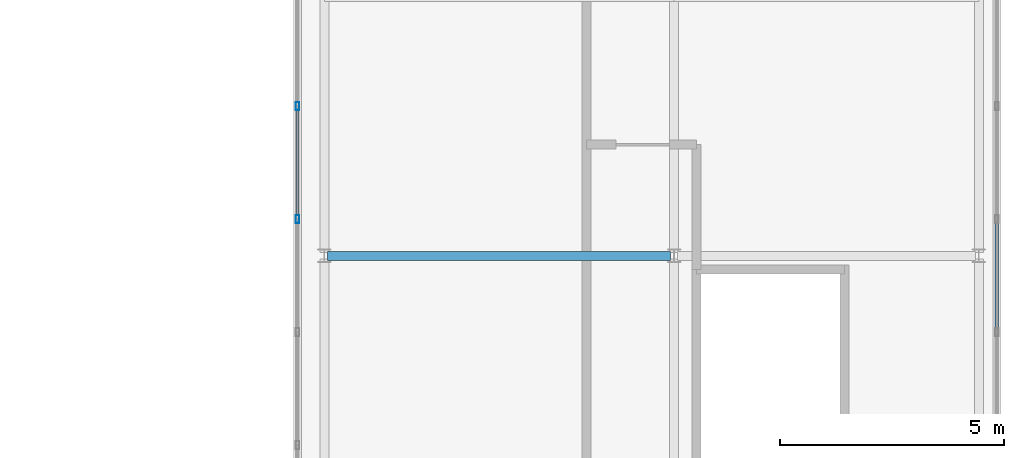
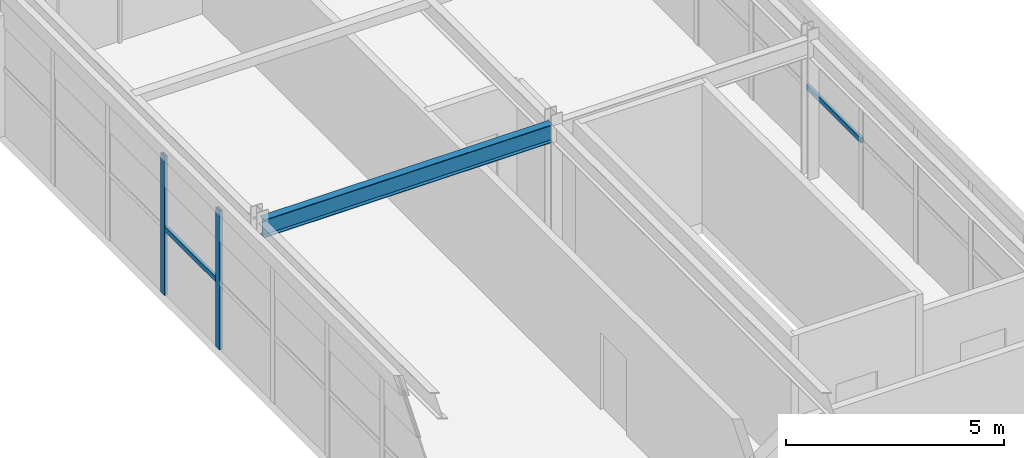
# One storey, part 15 of 25: 4 members, 1 beam, 2 elements without a shape of their own.
"""IFC4 building model written with IfcOpenShell, lengths in metres."""

import ifcopenshell
import ifcopenshell.guid

model = None  # the IFC model being written
_history = None  # IfcOwnerHistory: only IFC2X3 demands one
_inside = {}  # id of a spatial element -> (the spatial element, [elements in it])
_under = {}  # id of a project, library or spatial element -> (it, [spatial elements below it])
_declared = {}  # id of a project -> (the project, [libraries it declares])
_typed = {}  # id of a type object -> (the type object, [elements of that type])
_made_of = {}  # id of a material, layer set ... -> (it, [elements and type objects made of it])


def new_model(schema):
    """Start an empty IFC model of exactly this schema.

    Asked for "IFC4X3", IfcOpenShell would pick the latest addendum, in which some entities
    have other attributes; the version numbers below select the first issue.
    IFC2X3 requires an IfcOwnerHistory on every rooted entity: one is made here for all.
    """
    global model, _history
    if schema == "IFC4X3":
        model = ifcopenshell.file(schema_version=(4, 3, 0, 0))
    else:
        model = ifcopenshell.file(schema=schema)
    _inside.clear()
    _under.clear()
    _declared.clear()
    _typed.clear()
    _made_of.clear()
    _history = None
    if model.schema == "IFC2X3":
        org = make("IfcOrganization", Name="unknown")
        user = make(
            "IfcPersonAndOrganization",
            ThePerson=make("IfcPerson", FamilyName="unknown"),
            TheOrganization=org,
        )
        app = make(
            "IfcApplication",
            ApplicationDeveloper=org,
            Version="unknown",
            ApplicationFullName="unknown",
            ApplicationIdentifier="unknown",
        )
        _history = make(
            "IfcOwnerHistory",
            OwningUser=user,
            OwningApplication=app,
            ChangeAction="ADDED",
            CreationDate=0,
        )
    return model


def make(cls, **values):
    """One entity of the class cls with the attributes given. An attribute that is None is left unset."""
    return model.create_entity(
        cls, **{name: value for name, value in values.items() if value is not None}
    )


def rooted(cls, **values):
    """An entity with a GlobalId (a new one), such as an element, a storey or a relation."""
    return make(cls, GlobalId=ifcopenshell.guid.new(), OwnerHistory=_history, **values)


def si_unit(unit_type, name, prefix=None):
    """IfcSIUnit, for example si_unit("LENGTHUNIT", "METRE", prefix="MILLI")."""
    return make("IfcSIUnit", UnitType=unit_type, Prefix=prefix, Name=name)


def assignment(units):
    """IfcUnitAssignment: the units of a project."""
    return None if units is None else make("IfcUnitAssignment", Units=units)


def point(xyz):
    """IfcCartesianPoint."""
    return None if xyz is None else make("IfcCartesianPoint", Coordinates=xyz)


def direction(xyz):
    """IfcDirection."""
    return None if xyz is None else make("IfcDirection", DirectionRatios=xyz)


def frame(location, z_axis=None, x_axis=None):
    """IfcAxis2Placement3D, a coordinate frame: its origin and axes. An axis left out is left unset."""
    return make(
        "IfcAxis2Placement3D",
        Location=point(location),
        Axis=direction(z_axis),
        RefDirection=direction(x_axis),
    )


def frame_2d(location, x_axis=None):
    """IfcAxis2Placement2D, a coordinate frame in the plane: its origin and x axis."""
    return make(
        "IfcAxis2Placement2D", Location=point(location), RefDirection=direction(x_axis)
    )


def origin():
    """The frame at (0, 0, 0) with its axes left unset."""
    return frame((0.0, 0.0, 0.0))


def origin_2d():
    """The frame at (0, 0) in the plane with its x axis left unset."""
    return frame_2d((0.0, 0.0))


def place(relative_to, where):
    """IfcLocalPlacement: puts the frame where relative to a parent placement (None: the world)."""
    return make(
        "IfcLocalPlacement", PlacementRelTo=relative_to, RelativePlacement=where
    )


def context(
    kind, dimensions, precision=None, world=None, true_north=None, identifier=None
):
    """IfcGeometricRepresentationContext, for example the 3D "Model" context."""
    return make(
        "IfcGeometricRepresentationContext",
        ContextIdentifier=identifier,
        ContextType=kind,
        CoordinateSpaceDimension=dimensions,
        Precision=precision,
        WorldCoordinateSystem=world,
        TrueNorth=true_north,
    )


def subcontext(parent, identifier, kind, view, scale=None):
    """IfcGeometricRepresentationSubContext, for example "Body" below "Model"."""
    return make(
        "IfcGeometricRepresentationSubContext",
        ContextIdentifier=identifier,
        ContextType=kind,
        ParentContext=parent,
        TargetScale=scale,
        TargetView=view,
    )


def project(units=None, contexts=None):
    """IfcProject with its units and contexts."""
    return rooted(
        "IfcProject",
        Name="project",
        RepresentationContexts=contexts,
        UnitsInContext=assignment(units),
    )


def spatial(cls, under=None, at=None, **own):
    """A site, building, storey or space (cls), placed at a placement, below another one or the project."""
    s = rooted(cls, ObjectPlacement=at, **own)
    if under is not None:
        _under.setdefault(under.id(), (under, []))[1].append(s)
    return s


def profile(cls, at=None, kind="AREA", **sizes):
    """A parametric profile (cls). Its sizes go by their IFC names, for example OverallWidth=200.0."""
    return make(cls, ProfileType=kind, Position=at, **sizes)


def hollow_rectangle(**sizes):
    """IfcRectangleHollowProfileDef."""
    return profile("IfcRectangleHollowProfileDef", **sizes)


def i_section(**sizes):
    """IfcIShapeProfileDef."""
    return profile("IfcIShapeProfileDef", **sizes)


def extrude(swept, where, along, depth):
    """IfcExtrudedAreaSolid: the profile swept, set in the frame where, extruded along a direction by depth."""
    return make(
        "IfcExtrudedAreaSolid",
        SweptArea=swept,
        Position=where,
        ExtrudedDirection=direction(along),
        Depth=depth,
    )


def shape(context_of_items, identifier, shape_type, items):
    """IfcShapeRepresentation: the items that make up one representation, for example the "Body"."""
    return make(
        "IfcShapeRepresentation",
        ContextOfItems=context_of_items,
        RepresentationIdentifier=identifier,
        RepresentationType=shape_type,
        Items=items,
    )


def source(mapping_origin, context_of_items, identifier, shape_type, items):
    """IfcRepresentationMap: a shape defined once, which mapped items show again and again."""
    return make(
        "IfcRepresentationMap",
        MappingOrigin=mapping_origin,
        MappedRepresentation=shape(context_of_items, identifier, shape_type, items),
    )


def transform(
    local_origin,
    x_axis=None,
    y_axis=None,
    z_axis=None,
    scale=None,
    scale2=None,
    scale3=None,
    uniform=True,
):
    """IfcCartesianTransformationOperator3D, or its non-uniform kind. x_axis, y_axis, z_axis: its Axis1, 2, 3."""
    if uniform:
        return make(
            "IfcCartesianTransformationOperator3D",
            Axis1=direction(x_axis),
            Axis2=direction(y_axis),
            LocalOrigin=point(local_origin),
            Scale=scale,
            Axis3=direction(z_axis),
        )
    return make(
        "IfcCartesianTransformationOperator3DnonUniform",
        Axis1=direction(x_axis),
        Axis2=direction(y_axis),
        LocalOrigin=point(local_origin),
        Scale=scale,
        Axis3=direction(z_axis),
        Scale2=scale2,
        Scale3=scale3,
    )


def mapped(mapping_source, mapping_target):
    """IfcMappedItem: shows the shape of a source again, moved by a transform."""
    return make(
        "IfcMappedItem", MappingSource=mapping_source, MappingTarget=mapping_target
    )


def material(Name=None, Category=None):
    """IfcMaterial."""
    return make("IfcMaterial", Name=Name, Category=Category)


def material_profile(
    of_material, cross_section, Name=None, Category=None, Priority=None
):
    """IfcMaterialProfile: a cross section and its material."""
    return make(
        "IfcMaterialProfile",
        Name=Name,
        Material=of_material,
        Profile=cross_section,
        Priority=Priority,
        Category=Category,
    )


def profile_set(profiles, Name=None, composite=None):
    """IfcMaterialProfileSet."""
    return make(
        "IfcMaterialProfileSet",
        Name=Name,
        MaterialProfiles=profiles,
        CompositeProfile=composite,
    )


def made_of(thing, what):
    """Note that an element or type object is made of a material, layer set ...; save() writes the relation."""
    if what is not None:
        _made_of.setdefault(what.id(), (what, []))[1].append(thing)
    return thing


def type_object(cls, material=None, **own):
    """A type object (cls), such as IfcWallType, which elements share."""
    return made_of(rooted(cls, **own), material)


def element(
    cls,
    number,
    at=None,
    inside=None,
    cuts=None,
    type_object=None,
    material=None,
    context=None,
    identifier="Body",
    shape_type=None,
    held_by="IfcProductDefinitionShape",
    body=None,
    shapes=None,
    **own,
):
    """One element of the class cls, such as IfcWall. Its Tag is "e" and its number.

    at: its placement. inside: the storey or other place that contains it. cuts: it is an
    opening in that element (IfcRelVoidsElement). A single representation is given by context,
    identifier, shape_type and body (its items); several are given by shapes. held_by: the class
    of the entity that holds the representations. save() writes the other relations.
    """
    e = rooted(cls, Tag="e%d" % number, ObjectPlacement=at, **own)
    if body is not None:
        shapes = [shape(context, identifier, shape_type, body)]
    if shapes is not None:
        e.Representation = make(held_by, Representations=shapes)
    if inside is not None:
        _inside.setdefault(inside.id(), (inside, []))[1].append(e)
    if cuts is not None:
        rooted(
            "IfcRelVoidsElement", RelatingBuildingElement=cuts, RelatedOpeningElement=e
        )
    if type_object is not None:
        _typed.setdefault(type_object.id(), (type_object, []))[1].append(e)
    return made_of(e, material)


def aggregate(whole, parts):
    """IfcRelAggregates: a whole, such as a stair, and the parts it consists of."""
    return rooted("IfcRelAggregates", RelatingObject=whole, RelatedObjects=parts)


def save(model, path):
    """Write the relations noted so far, then the file.

    IfcRelAggregates (storeys below a building ...), IfcRelContainedInSpatialStructure (elements
    in a storey), IfcRelDefinesByType, IfcRelAssociatesMaterial and IfcRelDeclares: one each for
    every whole, place, type object, material and project.
    """
    for whole, parts in _under.values():
        aggregate(whole, parts)
    for where, things in _inside.values():
        rooted(
            "IfcRelContainedInSpatialStructure",
            RelatedElements=things,
            RelatingStructure=where,
        )
    for kind, things in _typed.values():
        rooted("IfcRelDefinesByType", RelatedObjects=things, RelatingType=kind)
    for what, things in _made_of.values():
        rooted("IfcRelAssociatesMaterial", RelatedObjects=things, RelatingMaterial=what)
    for by, libraries in _declared.values():
        rooted("IfcRelDeclares", RelatingContext=by, RelatedDefinitions=libraries)
    model.write(path)


model = new_model("IFC4")

# Units and contexts
model_context = context("Model", 3, precision=1e-05, world=origin(), true_north=direction((0.0, 1.0)))
body_context = subcontext(model_context, "Body", "Model", "MODEL_VIEW")
ifc_project = project(units=[si_unit("LENGTHUNIT", "METRE"), si_unit("AREAUNIT", "SQUARE_METRE"), si_unit("VOLUMEUNIT", "CUBIC_METRE"), si_unit("PLANEANGLEUNIT", "RADIAN"), si_unit("MASSUNIT", "GRAM", prefix="KILO")], contexts=[model_context])

# Site, building, storey
site_placement = place(None, origin())
site = spatial("IfcSite", under=ifc_project, at=site_placement, CompositionType="ELEMENT")
building_placement = place(site_placement, origin())
building = spatial("IfcBuilding", under=site, at=building_placement, Name="Trelvane Seafront Commons", CompositionType="ELEMENT")
storey_placement = place(building_placement, frame((0.0, 0.0, 320.89990234375)))
storey = spatial("IfcBuildingStorey", under=building, at=storey_placement, Name="L83", CompositionType="ELEMENT", Elevation=320.89990234375)

# Beam
ifc_material_1 = material(Name="Steel SM355 (S355)", Category="steel")
ifc_material_profile_1 = material_profile(ifc_material_1, i_section(OverallWidth=0.199951171875, OverallDepth=0.5, WebThickness=0.010009765625, FlangeThickness=0.01611328125, at=origin_2d()), Name="H-500x200x10x16")
ifc_profile_set_1 = profile_set([ifc_material_profile_1], Name="Steel SM355 (S355)")
beam_type = type_object("IfcBeamType", Name="STR-CROWN-FRAME-RING", PredefinedType="SPANDREL", material=ifc_profile_set_1)
shared_shape_1 = source(origin(), body_context, "Body", "SweptSolid", [
    extrude(i_section(OverallWidth=0.199951171875, OverallDepth=0.5, WebThickness=0.010009765625, FlangeThickness=0.01611328125, at=origin_2d()), origin(), (0.0, 0.0, 1.0), 7.650146484375),
])
beam_placement = place(storey_placement, frame((51.074951171875, 33.39990234375, 3.650146484375), z_axis=(1.0, 0.0, 0.0), x_axis=(0.0, 1.0, 0.0)))
element("IfcBeam", 1, at=beam_placement, inside=storey, type_object=beam_type, Name="L83 CROWN FRAME Ring Beam G-07", PredefinedType="SPANDREL", context=body_context, shape_type="MappedRepresentation", body=[
    mapped(shared_shape_1, transform((0.0, 0.0, 0.0), x_axis=(1.0, 0.0, 0.0), y_axis=(0.0, 1.0, 0.0), z_axis=(0.0, 0.0, 1.0), scale=1.0)),
])

# Curtain wall, members
ifc_material_2 = material(Name="Anodised pale-silver aluminium", Category="aluminium")
curtain_wall_type = type_object("IfcCurtainWallType", Name="ARCH-CW6-CROWN", PredefinedType="NOTDEFINED", material=ifc_material_2)
curtain_wall_1_placement = place(storey_placement, origin())
curtain_wall_1 = element("IfcCurtainWall", 2, at=curtain_wall_1_placement, inside=storey, type_object=curtain_wall_type, Name="CW-L83-0164", PredefinedType="NOTDEFINED")
ifc_material_profile_2 = material_profile(ifc_material_2, hollow_rectangle(XDim=0.080078125, YDim=0.179931640625, WallThickness=0.00439453125, at=origin_2d()), Name="MULL-80x180x4.5")
ifc_profile_set_2 = profile_set([ifc_material_profile_2], Name="Anodised pale-silver aluminium")
member_type_1 = type_object("IfcMemberType", Name="ARCH-CW-MULL-180", PredefinedType="MULLION", material=ifc_profile_set_2)
shared_shape_2 = source(origin(), body_context, "Body", "SweptSolid", [
    extrude(hollow_rectangle(XDim=0.080078125, YDim=0.179931640625, WallThickness=0.00439453125, at=origin_2d()), origin(), (0.0, 0.0, 1.0), 3.900146484375),
])
member_1_placement = place(storey_placement, frame((50.39990234375, 34.219970703125, 0.0), z_axis=(0.0, 0.0, 1.0), x_axis=(1.0, 0.0, 0.0)))
member_1 = element("IfcMember", 3, at=member_1_placement, type_object=member_type_1, Name="CW-L83-0164-M06", PredefinedType="MULLION", context=body_context, shape_type="MappedRepresentation", body=[
    mapped(shared_shape_2, transform((0.0, 0.0, 0.0), x_axis=(1.0, 0.0, 0.0), y_axis=(0.0, 1.0, 0.0), z_axis=(0.0, 0.0, 1.0), scale=1.0)),
])
member_2_placement = place(storey_placement, frame((50.39990234375, 36.739990234375, 0.0), z_axis=(0.0, 0.0, 1.0), x_axis=(1.0, 0.0, 0.0)))
member_2 = element("IfcMember", 4, at=member_2_placement, type_object=member_type_1, Name="CW-L83-0164-M07", PredefinedType="MULLION", context=body_context, shape_type="MappedRepresentation", body=[
    mapped(shared_shape_2, transform((0.0, 0.0, 0.0), x_axis=(1.0, 0.0, 0.0), y_axis=(0.0, 1.0, 0.0), z_axis=(0.0, 0.0, 1.0), scale=1.0)),
])
ifc_material_profile_3 = material_profile(ifc_material_2, hollow_rectangle(XDim=0.074951171875, YDim=0.139892578125, WallThickness=0.00390625, at=origin_2d()), Name="TRAN-75x140x4")
ifc_profile_set_3 = profile_set([ifc_material_profile_3], Name="Anodised pale-silver aluminium")
member_type_2 = type_object("IfcMemberType", Name="ARCH-CW-TRAN-140", PredefinedType="USERDEFINED", material=ifc_profile_set_3)
shared_shape_3 = source(origin(), body_context, "Body", "SweptSolid", [
    extrude(hollow_rectangle(XDim=0.074951171875, YDim=0.139892578125, WallThickness=0.00390625, at=origin_2d()), origin(), (0.0, 0.0, 1.0), 2.49609375),
])
member_3_placement = place(storey_placement, frame((50.39990234375, 34.23193359375, 1.8720703125), z_axis=(0.0, 1.0, 0.0), x_axis=(-1.0, 0.0, 0.0)))
member_3 = element("IfcMember", 5, at=member_3_placement, type_object=member_type_2, Name="CW-L83-0164-T06", ObjectType="TRANSOM", PredefinedType="USERDEFINED", context=body_context, shape_type="MappedRepresentation", body=[
    mapped(shared_shape_3, transform((0.0, 0.0, 0.0), x_axis=(1.0, 0.0, 0.0), y_axis=(0.0, 1.0, 0.0), z_axis=(0.0, 0.0, 1.0), scale=1.0)),
])
aggregate(curtain_wall_1, [member_1, member_2, member_3])

# Curtain wall, member
curtain_wall_2_placement = place(storey_placement, origin())
curtain_wall_2 = element("IfcCurtainWall", 6, at=curtain_wall_2_placement, inside=storey, type_object=curtain_wall_type, Name="CW-L83-0166", PredefinedType="NOTDEFINED")
member_4_placement = place(storey_placement, frame((66.0, 34.2080078125, 1.8720703125), z_axis=(0.0, -1.0, 0.0), x_axis=(1.0, 0.0, 0.0)))
member_4 = element("IfcMember", 7, at=member_4_placement, type_object=member_type_2, Name="CW-L83-0166-T04", ObjectType="TRANSOM", PredefinedType="USERDEFINED", context=body_context, shape_type="MappedRepresentation", body=[
    mapped(shared_shape_3, transform((0.0, 0.0, 0.0), x_axis=(1.0, 0.0, 0.0), y_axis=(0.0, 1.0, 0.0), z_axis=(0.0, 0.0, 1.0), scale=1.0)),
])
aggregate(curtain_wall_2, [member_4])

save(model, "model.ifc")
